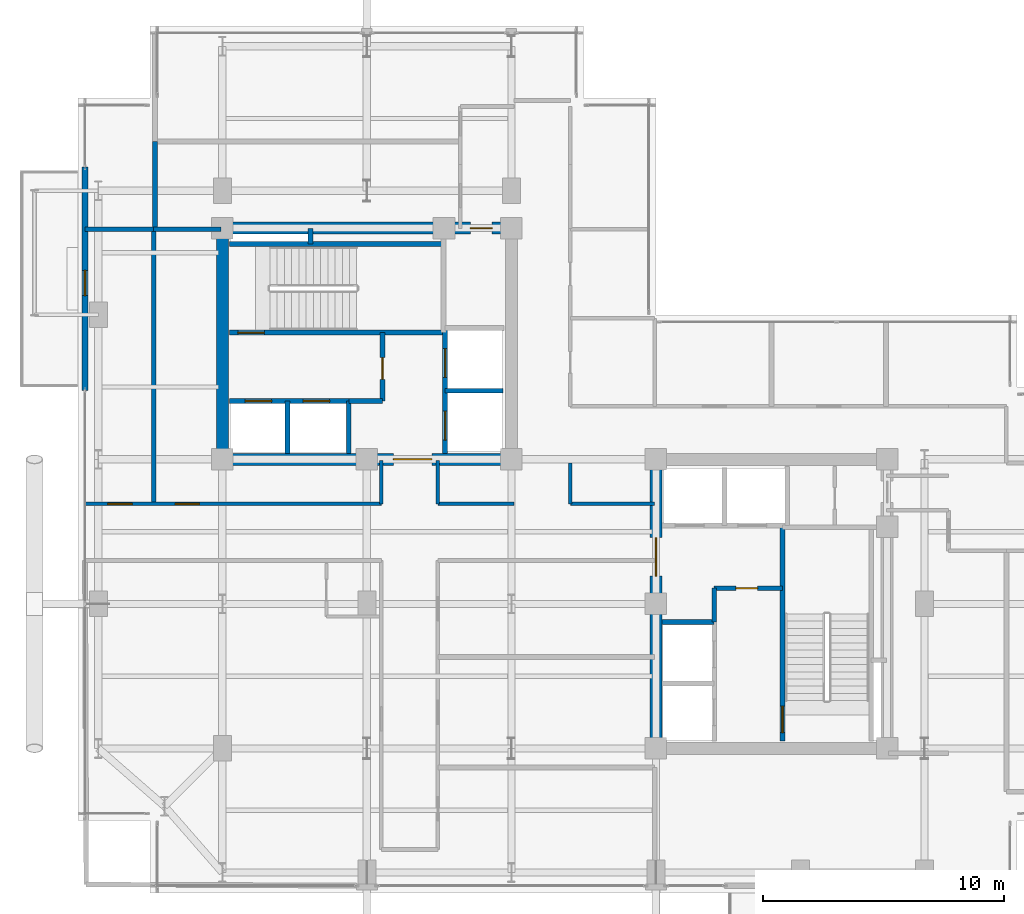
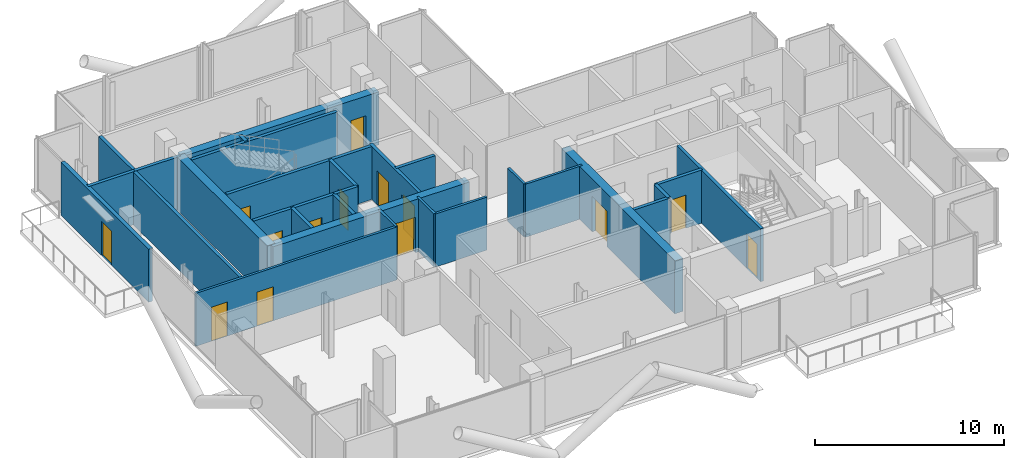
# One storey, part 20 of 25: 29 walls, 14 doors, 14 openings.
"""IFC4 building model written with IfcOpenShell, lengths in metres."""

from ifc_helpers import new_model, si_unit, direction, frame, frame_2d, origin, place, context, subcontext, project, spatial, rectangle, extrude, material, layer, layer_set, type_object, element, fill, save


model = new_model("IFC4")

# Units and contexts
model_context = context("Model", 3, precision=1e-05, world=origin(), true_north=direction((0.0, 1.0)))
body_context = subcontext(model_context, "Body", "Model", "MODEL_VIEW")
ifc_project = project(units=[si_unit("LENGTHUNIT", "METRE"), si_unit("AREAUNIT", "SQUARE_METRE"), si_unit("VOLUMEUNIT", "CUBIC_METRE"), si_unit("PLANEANGLEUNIT", "RADIAN"), si_unit("MASSUNIT", "GRAM", prefix="KILO"), si_unit("THERMODYNAMICTEMPERATUREUNIT", "KELVIN"), si_unit("POWERUNIT", "WATT")], contexts=[model_context])

# Site, building, storey
site_placement = place(None, origin())
site = spatial("IfcSite", under=ifc_project, at=site_placement, CompositionType="ELEMENT")
building_placement = place(site_placement, origin())
building = spatial("IfcBuilding", under=site, at=building_placement, Name="Svarakhadi Broadcast Tower", CompositionType="ELEMENT")
storey_placement = place(building_placement, frame((0.0, 0.0, 231.14990234375)))
storey = spatial("IfcBuildingStorey", under=building, at=storey_placement, Name="L57", CompositionType="ELEMENT", Elevation=231.14990234375)

# Walls
ifc_material_1 = material(Name="Double-Stud Acoustic Studio Partition STC-62", Category="gypsum")
ifc_layer_1 = layer(ifc_material_1, 0.199951171875)
ifc_layer_set_1 = layer_set([ifc_layer_1], Name="Double-Stud Acoustic Studio Partition STC-62")
wall_type_1 = type_object("IfcWallType", Name="Wall_Acoust_200", PredefinedType="PARTITIONING", material=ifc_layer_set_1)
wall_1_placement = place(storey_placement, frame((0.300048828125, 27.550048828125, 0.0), z_axis=(0.0, 0.0, 1.0), x_axis=(1.0, 0.0, 0.0)))
element("IfcWall", 1, at=wall_1_placement, inside=storey, type_object=wall_type_1, Name="L57 Arabian Sea Panorama Salon Wall", PredefinedType="PARTITIONING", context=body_context, shape_type="SweptSolid", body=[
    extrude(rectangle(XDim=2.849853515625, YDim=0.199951171875, at=frame_2d((1.4248046875, 0.0))), origin(), (0.0, 0.0, 1.0), 3.425048828125),
])
wall_2_placement = place(storey_placement, frame((3.14990234375, 16.14990234375, 0.0), z_axis=(0.0, 0.0, 1.0), x_axis=(0.0, 1.0, 0.0)))
element("IfcWall", 2, at=wall_2_placement, inside=storey, type_object=wall_type_1, Name="L57 Arabian Sea Panorama Salon Wall", PredefinedType="PARTITIONING", context=body_context, shape_type="SweptSolid", body=[
    extrude(rectangle(XDim=11.400146484375, YDim=0.199951171875, at=frame_2d((5.7001953125, 0.0))), origin(), (0.0, 0.0, 1.0), 3.425048828125),
])
wall_3_placement = place(storey_placement, frame((3.14990234375, 27.550048828125, 0.0), z_axis=(0.0, 0.0, 1.0), x_axis=(1.0, 0.0, 0.0)))
element("IfcWall", 3, at=wall_3_placement, inside=storey, type_object=wall_type_1, Name="L57 Private Study and Library Office Wall", PredefinedType="PARTITIONING", context=body_context, shape_type="SweptSolid", body=[
    extrude(rectangle(XDim=2.800048828125, YDim=0.199951171875, at=frame_2d((1.39990234375, 0.0))), origin(), (0.0, 0.0, 1.0), 3.425048828125),
])
wall_4_placement = place(storey_placement, frame((3.199951171875, 27.64990234375, 0.0), z_axis=(0.0, 0.0, 1.0), x_axis=(0.0, 1.0, 0.0)))
element("IfcWall", 4, at=wall_4_placement, inside=storey, type_object=wall_type_1, Name="L57 Hotel Pilates and Fitness Studio Wall", PredefinedType="PARTITIONING", context=body_context, shape_type="SweptSolid", body=[
    extrude(rectangle(XDim=3.550048828125, YDim=0.199951171875, at=frame_2d((1.77490234375, 0.0))), origin(), (0.0, 0.0, 1.0), 3.425048828125),
])

# Wall, opening, door
ifc_material_2 = material(Name="Concrete C40/50 (IS 456 M50)", Category="concrete")
ifc_layer_2 = layer(ifc_material_2, 0.239990234375)
ifc_layer_set_2 = layer_set([ifc_layer_2], Name="Concrete C40/50 (IS 456 M50)")
wall_type_2 = type_object("IfcWallType", Name="Wall_Ext_240", PredefinedType="SOLIDWALL", material=ifc_layer_set_2)
wall_5_placement = place(storey_placement, frame((0.300048828125, 20.85498046875, 0.0), z_axis=(0.0, 0.0, 1.0), x_axis=(0.0, 1.0, 0.0)))
wall_5 = element("IfcWall", 5, at=wall_5_placement, inside=storey, type_object=wall_type_2, Name="L57 West Tree Balcony Spandrel Wall", PredefinedType="SOLIDWALL", context=body_context, shape_type="SweptSolid", body=[
    extrude(rectangle(XDim=9.2900390625, YDim=0.239990234375, at=frame_2d((4.64501953125, 0.0))), origin(), (0.0, 0.0, 1.0), 3.425048828125),
])
opening_1_placement = place(wall_5_placement, frame((3.945068359375, 0.0, 0.0)))
opening_1 = element("IfcOpeningElement", 6, at=opening_1_placement, cuts=wall_5, Name="Opening ED-06", PredefinedType="OPENING", context=body_context, shape_type="SweptSolid", body=[
    extrude(rectangle(XDim=1.050048828125, YDim=2.199951171875, at=frame_2d((0.52490234375, 1.10009765625))), frame((0.0, 0.1298828125, 0.0), z_axis=(0.0, -1.0, 0.0), x_axis=(1.0, 0.0, 0.0)), (0.0, 0.0, 1.0), 0.260009765625),
])
ifc_material_3 = material(Name="Anodised Bronze Aluminium AA 6063-T6", Category="aluminium")
door_type_1 = type_object("IfcDoorType", Name="Door_Ext_ED06", OperationType="SINGLE_SWING_RIGHT", PredefinedType="DOOR", material=ifc_material_3)
door_1_placement = place(opening_1_placement, origin())
door_1 = element("IfcDoor", 7, at=door_1_placement, inside=storey, type_object=door_type_1, Name="L57 West Tree Balcony Door", OperationType="SINGLE_SWING_RIGHT", OverallHeight=2.199951171875, OverallWidth=1.050048828125, PredefinedType="DOOR", context=body_context, shape_type="SweptSolid", body=[
    extrude(rectangle(XDim=1.050048828125, YDim=2.199951171875, at=frame_2d((0.52490234375, 1.10009765625))), frame((0.0, 0.02490234375, 0.0), z_axis=(0.0, -1.0, 0.0), x_axis=(1.0, 0.0, 0.0)), (0.0, 0.0, 1.0), 0.050048828125),
])
fill(opening_1, door_1)

# Wall
ifc_layer_3 = layer(ifc_material_2, 0.199951171875)
ifc_layer_set_3 = layer_set([ifc_layer_3], Name="Concrete C40/50 (IS 456 M50)")
wall_type_3 = type_object("IfcWallType", Name="Wall_Fire_200", PredefinedType="SOLIDWALL", material=ifc_layer_set_3)
wall_6_placement = place(storey_placement, frame((9.659912109375, 26.93994140625, 0.0), z_axis=(0.0, 0.0, 1.0), x_axis=(0.0, 1.0, 0.0)))
element("IfcWall", 8, at=wall_6_placement, inside=storey, type_object=wall_type_3, Name="L57 Wet Riser Shaft East Wall", PredefinedType="SOLIDWALL", context=body_context, shape_type="SweptSolid", body=[
    extrude(rectangle(XDim=0.64013671875, YDim=0.199951171875, at=frame_2d((0.320068359375, 0.0))), origin(), (0.0, 0.0, 1.0), 3.425048828125),
])

# Wall, openings, doors
ifc_material_4 = material(Name="Autoclaved Aerated Concrete Blockwork 150 mm", Category="masonry")
ifc_layer_4 = layer(ifc_material_4, 0.14990234375)
ifc_layer_set_4 = layer_set([ifc_layer_4], Name="Autoclaved Aerated Concrete Blockwork 150 mm")
wall_type_4 = type_object("IfcWallType", Name="Wall_Part_150", PredefinedType="PARTITIONING", material=ifc_layer_set_4)
wall_7_placement = place(storey_placement, frame((0.300048828125, 16.14990234375, 0.0), z_axis=(0.0, 0.0, 1.0), x_axis=(1.0, 0.0, 0.0)))
wall_7 = element("IfcWall", 9, at=wall_7_placement, inside=storey, type_object=wall_type_4, Name="L57 Upper Tower Concourse Wall", PredefinedType="PARTITIONING", context=body_context, shape_type="SweptSolid", body=[
    extrude(rectangle(XDim=12.300048828125, YDim=0.14990234375, at=frame_2d((6.14990234375, 0.0))), origin(), (0.0, 0.0, 1.0), 3.425048828125),
])
opening_2_placement = place(wall_7_placement, frame((0.949951171875, 0.0, 0.0)))
opening_2 = element("IfcOpeningElement", 10, at=opening_2_placement, cuts=wall_7, Name="Opening D-08", PredefinedType="OPENING", context=body_context, shape_type="SweptSolid", body=[
    extrude(rectangle(XDim=1.0, YDim=2.199951171875, at=frame_2d((0.5, 1.10009765625))), frame((0.0, 0.0849609375, 0.0), z_axis=(0.0, -1.0, 0.0), x_axis=(1.0, 0.0, 0.0)), (0.0, 0.0, 1.0), 0.169921875),
])
opening_3_placement = place(wall_7_placement, frame((3.75, 0.0, 0.0)))
opening_3 = element("IfcOpeningElement", 11, at=opening_3_placement, cuts=wall_7, Name="Opening D-09", PredefinedType="OPENING", context=body_context, shape_type="SweptSolid", body=[
    extrude(rectangle(XDim=1.0, YDim=2.199951171875, at=frame_2d((0.5, 1.10009765625))), frame((0.0, 0.0849609375, 0.0), z_axis=(0.0, -1.0, 0.0), x_axis=(1.0, 0.0, 0.0)), (0.0, 0.0, 1.0), 0.169921875),
])
ifc_material_5 = material(Name="Solid-Core Teak Veneer Acoustic Timber Leaf", Category="wood")
door_type_2 = type_object("IfcDoorType", Name="Door_Suite_D08", OperationType="SINGLE_SWING_LEFT", PredefinedType="DOOR", material=ifc_material_5)
door_2_placement = place(opening_2_placement, origin())
door_2 = element("IfcDoor", 12, at=door_2_placement, inside=storey, type_object=door_type_2, Name="L57 Arabian Sea Panorama Salon Door", OperationType="SINGLE_SWING_LEFT", OverallHeight=2.199951171875, OverallWidth=1.0, PredefinedType="DOOR", context=body_context, shape_type="SweptSolid", body=[
    extrude(rectangle(XDim=1.0, YDim=2.199951171875, at=frame_2d((0.5, 1.10009765625))), frame((0.0, 0.02490234375, 0.0), z_axis=(0.0, -1.0, 0.0), x_axis=(1.0, 0.0, 0.0)), (0.0, 0.0, 1.0), 0.050048828125),
])
fill(opening_2, door_2)
door_type_3 = type_object("IfcDoorType", Name="Door_Suite_D09", OperationType="SINGLE_SWING_RIGHT", PredefinedType="DOOR", material=ifc_material_5)
door_3_placement = place(opening_3_placement, origin())
door_3 = element("IfcDoor", 13, at=door_3_placement, inside=storey, type_object=door_type_3, Name="L57 Private Study and Library Office Door", OperationType="SINGLE_SWING_RIGHT", OverallHeight=2.199951171875, OverallWidth=1.0, PredefinedType="DOOR", context=body_context, shape_type="SweptSolid", body=[
    extrude(rectangle(XDim=1.0, YDim=2.199951171875, at=frame_2d((0.5, 1.10009765625))), frame((0.0, 0.02490234375, 0.0), z_axis=(0.0, -1.0, 0.0), x_axis=(1.0, 0.0, 0.0)), (0.0, 0.0, 1.0), 0.050048828125),
])
fill(opening_3, door_3)

# Walls
for number, where, z_axis, x_axis, name in (
    (14, (12.60009765625, 16.14990234375, 0.0), (0.0, 0.0, 1.0), (0.0, 1.0, 0.0), "L57 Upper Tower Concourse Wall"),
    (15, (14.949951171875, 17.949951171875, 0.0), (0.0, 0.0, 1.0), (0.0, -1.0, 0.0), "L57 Upper Tower Concourse Wall"),
):
    element("IfcWall", number, at=place(storey_placement, frame(where, z_axis=z_axis, x_axis=x_axis)), inside=storey, type_object=wall_type_4, Name=name, PredefinedType="PARTITIONING", context=body_context, shape_type="SweptSolid", body=[
        extrude(rectangle(XDim=1.800048828125, YDim=0.14990234375, at=frame_2d((0.89990234375, 0.0))), origin(), (0.0, 0.0, 1.0), 3.425048828125),
    ])
wall_8_placement = place(storey_placement, frame((14.949951171875, 16.14990234375, 0.0), z_axis=(0.0, 0.0, 1.0), x_axis=(1.0, 0.0, 0.0)))
element("IfcWall", 16, at=wall_8_placement, inside=storey, type_object=wall_type_4, Name="L57 Upper Tower Concourse Wall", PredefinedType="PARTITIONING", context=body_context, shape_type="SweptSolid", body=[
    extrude(rectangle(XDim=3.150146484375, YDim=0.14990234375, at=frame_2d((1.5751953125, 0.0))), origin(), (0.0, 0.0, 1.0), 3.425048828125),
])
wall_9_placement = place(storey_placement, frame((20.449951171875, 17.85009765625, 0.0), z_axis=(0.0, 0.0, 1.0), x_axis=(0.0, -1.0, 0.0)))
element("IfcWall", 17, at=wall_9_placement, inside=storey, type_object=wall_type_4, Name="L57 Upper Tower Concourse Wall", PredefinedType="PARTITIONING", context=body_context, shape_type="SweptSolid", body=[
    extrude(rectangle(XDim=1.7001953125, YDim=0.14990234375, at=frame_2d((0.85009765625, 0.0))), origin(), (0.0, 0.0, 1.0), 3.425048828125),
])
wall_10_placement = place(storey_placement, frame((20.449951171875, 16.14990234375, 0.0), z_axis=(0.0, 0.0, 1.0), x_axis=(1.0, 0.0, 0.0)))
element("IfcWall", 18, at=wall_10_placement, inside=storey, type_object=wall_type_4, Name="L57 Upper Tower Concourse Wall", PredefinedType="PARTITIONING", context=body_context, shape_type="SweptSolid", body=[
    extrude(rectangle(XDim=3.5, YDim=0.14990234375, at=frame_2d((1.75, 0.0))), origin(), (0.0, 0.0, 1.0), 3.425048828125),
])

# Wall, opening, door
ifc_material_6 = material(Name="Concrete C50/60 (IS 456 M60)", Category="concrete")
ifc_layer_5 = layer(ifc_material_6, 0.199951171875)
ifc_layer_set_5 = layer_set([ifc_layer_5], Name="Concrete C50/60 (IS 456 M60)")
wall_type_5 = type_object("IfcWallType", Name="Wall_Shear_200", PredefinedType="SHEAR", material=ifc_layer_set_5)
wall_11_placement = place(storey_placement, frame((6.300048828125, 23.260009765625, 0.0), z_axis=(0.0, 0.0, 1.0), x_axis=(1.0, 0.0, 0.0)))
wall_11 = element("IfcWall", 19, at=wall_11_placement, inside=storey, type_object=wall_type_5, Name="L57 Stair ST-01 South RC Shaft Wall", PredefinedType="SHEAR", context=body_context, shape_type="SweptSolid", body=[
    extrude(rectangle(XDim=8.8798828125, YDim=0.199951171875, at=frame_2d((4.43994140625, 0.0))), origin(), (0.0, 0.0, 1.0), 3.425048828125),
])
opening_4_placement = place(wall_11_placement, frame((0.35009765625, 0.0, 0.0)))
opening_4 = element("IfcOpeningElement", 20, at=opening_4_placement, cuts=wall_11, Name="Opening D-01", PredefinedType="OPENING", context=body_context, shape_type="SweptSolid", body=[
    extrude(rectangle(XDim=1.10009765625, YDim=2.199951171875, at=frame_2d((0.550048828125, 1.10009765625))), frame((0.0, 0.10986328125, 0.0), z_axis=(0.0, -1.0, 0.0), x_axis=(1.0, 0.0, 0.0)), (0.0, 0.0, 1.0), 0.219970703125),
])
ifc_material_7 = material(Name="Galvanised Powder-Coated Fire-Rated Steel Leaf", Category="steel")
door_type_4 = type_object("IfcDoorType", Name="Door_Stair_D01", OperationType="SINGLE_SWING_LEFT", PredefinedType="DOOR", material=ifc_material_7)
door_4_placement = place(opening_4_placement, origin())
door_4 = element("IfcDoor", 21, at=door_4_placement, inside=storey, type_object=door_type_4, Name="L57 Protected Exit Stair ST-01 Fire Door", OperationType="SINGLE_SWING_LEFT", OverallHeight=2.199951171875, OverallWidth=1.10009765625, PredefinedType="DOOR", context=body_context, shape_type="SweptSolid", body=[
    extrude(rectangle(XDim=1.10009765625, YDim=2.199951171875, at=frame_2d((0.550048828125, 1.10009765625))), frame((0.0, 0.02490234375, 0.0), z_axis=(0.0, -1.0, 0.0), x_axis=(1.0, 0.0, 0.0)), (0.0, 0.0, 1.0), 0.050048828125),
])
fill(opening_4, door_4)

# Wall
wall_12_placement = place(storey_placement, frame((6.300048828125, 26.93994140625, 0.0), z_axis=(0.0, 0.0, 1.0), x_axis=(1.0, 0.0, 0.0)))
element("IfcWall", 22, at=wall_12_placement, inside=storey, type_object=wall_type_5, Name="L57 Stair ST-01 North RC Shaft Wall", PredefinedType="SHEAR", context=body_context, shape_type="SweptSolid", body=[
    extrude(rectangle(XDim=8.8798828125, YDim=0.199951171875, at=frame_2d((4.43994140625, 0.0))), origin(), (0.0, 0.0, 1.0), 3.425048828125),
])

# Wall, opening, door
wall_13_placement = place(storey_placement, frame((29.260009765625, 6.300048828125, 0.0), z_axis=(0.0, 0.0, 1.0), x_axis=(0.0, 1.0, 0.0)))
wall_13 = element("IfcWall", 23, at=wall_13_placement, inside=storey, type_object=wall_type_5, Name="L57 Stair ST-02 West RC Shaft Wall", PredefinedType="SHEAR", context=body_context, shape_type="SweptSolid", body=[
    extrude(rectangle(XDim=8.8798828125, YDim=0.199951171875, at=frame_2d((4.43994140625, 0.0))), origin(), (0.0, 0.0, 1.0), 3.425048828125),
])
opening_5_placement = place(wall_13_placement, frame((0.35009765625, 0.0, 0.0)))
opening_5 = element("IfcOpeningElement", 24, at=opening_5_placement, cuts=wall_13, Name="Opening D-02", PredefinedType="OPENING", context=body_context, shape_type="SweptSolid", body=[
    extrude(rectangle(XDim=1.10009765625, YDim=2.199951171875, at=frame_2d((0.550048828125, 1.10009765625))), frame((0.0, 0.10986328125, 0.0), z_axis=(0.0, -1.0, 0.0), x_axis=(1.0, 0.0, 0.0)), (0.0, 0.0, 1.0), 0.219970703125),
])
door_type_5 = type_object("IfcDoorType", Name="Door_Stair_D02", OperationType="SINGLE_SWING_RIGHT", PredefinedType="DOOR", material=ifc_material_7)
door_5_placement = place(opening_5_placement, origin())
door_5 = element("IfcDoor", 25, at=door_5_placement, inside=storey, type_object=door_type_5, Name="L57 Protected Exit Stair ST-02 Fire Door", OperationType="SINGLE_SWING_RIGHT", OverallHeight=2.199951171875, OverallWidth=1.10009765625, PredefinedType="DOOR", context=body_context, shape_type="SweptSolid", body=[
    extrude(rectangle(XDim=1.10009765625, YDim=2.199951171875, at=frame_2d((0.550048828125, 1.10009765625))), frame((0.0, 0.02490234375, 0.0), z_axis=(0.0, -1.0, 0.0), x_axis=(1.0, 0.0, 0.0)), (0.0, 0.0, 1.0), 0.050048828125),
])
fill(opening_5, door_5)

# Wall, openings, doors
wall_14_placement = place(storey_placement, frame((6.300048828125, 20.419921875, 0.0), z_axis=(0.0, 0.0, 1.0), x_axis=(1.0, 0.0, 0.0)))
wall_14 = element("IfcWall", 26, at=wall_14_placement, inside=storey, type_object=wall_type_5, Name="L57 Firefighting Lift LF-01/02 Shaft Wall", PredefinedType="SHEAR", context=body_context, shape_type="SweptSolid", body=[
    extrude(rectangle(XDim=4.949951171875, YDim=0.199951171875, at=frame_2d((2.47509765625, 0.0))), origin(), (0.0, 0.0, 1.0), 3.425048828125),
])
opening_6_placement = place(wall_14_placement, frame((0.64990234375, 0.0, 0.0)))
opening_6 = element("IfcOpeningElement", 27, at=opening_6_placement, cuts=wall_14, Name="Opening LD-01", PredefinedType="OPENING", context=body_context, shape_type="SweptSolid", body=[
    extrude(rectangle(XDim=1.10009765625, YDim=2.199951171875, at=frame_2d((0.550048828125, 1.10009765625))), frame((0.0, 0.10986328125, 0.0), z_axis=(0.0, -1.0, 0.0), x_axis=(1.0, 0.0, 0.0)), (0.0, 0.0, 1.0), 0.219970703125),
])
opening_7_placement = place(wall_14_placement, frame((3.050048828125, 0.0, 0.0)))
opening_7 = element("IfcOpeningElement", 28, at=opening_7_placement, cuts=wall_14, Name="Opening LD-01", PredefinedType="OPENING", context=body_context, shape_type="SweptSolid", body=[
    extrude(rectangle(XDim=1.10009765625, YDim=2.199951171875, at=frame_2d((0.550048828125, 1.10009765625))), frame((0.0, 0.10986328125, 0.0), z_axis=(0.0, -1.0, 0.0), x_axis=(1.0, 0.0, 0.0)), (0.0, 0.0, 1.0), 0.219970703125),
])
door_type_6 = type_object("IfcDoorType", Name="Door_Lift_LD01", OperationType="SLIDING_TO_LEFT", PredefinedType="DOOR", material=ifc_material_7)
door_6_placement = place(opening_6_placement, origin())
door_6 = element("IfcDoor", 29, at=door_6_placement, inside=storey, type_object=door_type_6, Name="L57 Firefighting Lift LF-01 Landing Door", OperationType="SLIDING_TO_LEFT", OverallHeight=2.199951171875, OverallWidth=1.10009765625, PredefinedType="DOOR", context=body_context, shape_type="SweptSolid", body=[
    extrude(rectangle(XDim=1.10009765625, YDim=2.199951171875, at=frame_2d((0.550048828125, 1.10009765625))), frame((0.0, 0.02490234375, 0.0), z_axis=(0.0, -1.0, 0.0), x_axis=(1.0, 0.0, 0.0)), (0.0, 0.0, 1.0), 0.050048828125),
])
fill(opening_6, door_6)
door_7_placement = place(opening_7_placement, origin())
door_7 = element("IfcDoor", 30, at=door_7_placement, inside=storey, type_object=door_type_6, Name="L57 Firefighting Lift LF-02 Landing Door", OperationType="SLIDING_TO_LEFT", OverallHeight=2.199951171875, OverallWidth=1.10009765625, PredefinedType="DOOR", context=body_context, shape_type="SweptSolid", body=[
    extrude(rectangle(XDim=1.10009765625, YDim=2.199951171875, at=frame_2d((0.550048828125, 1.10009765625))), frame((0.0, 0.02490234375, 0.0), z_axis=(0.0, -1.0, 0.0), x_axis=(1.0, 0.0, 0.0)), (0.0, 0.0, 1.0), 0.050048828125),
])
fill(opening_7, door_7)

# Walls
for number, where, z_axis, x_axis, name in (
    (31, (8.699951171875, 18.25, 0.0), (0.0, 0.0, 1.0), (0.0, 1.0, 0.0), "L57 Firefighting Lift LF-01/02 Divider Wall"),
    (32, (11.25, 18.25, 0.0), (0.0, 0.0, 1.0), (0.0, 1.0, 0.0), "L57 Firefighting Lift LF-02 East Wall"),
):
    element("IfcWall", number, at=place(storey_placement, frame(where, z_axis=z_axis, x_axis=x_axis)), inside=storey, type_object=wall_type_5, Name=name, PredefinedType="SHEAR", context=body_context, shape_type="SweptSolid", body=[
        extrude(rectangle(XDim=2.169921875, YDim=0.199951171875, at=frame_2d((1.0849609375, 0.0))), origin(), (0.0, 0.0, 1.0), 3.425048828125),
    ])
wall_15_placement = place(storey_placement, frame((11.25, 20.419921875, 0.0), z_axis=(0.0, 0.0, 1.0), x_axis=(1.0, 0.0, 0.0)))
element("IfcWall", 33, at=wall_15_placement, inside=storey, type_object=wall_type_5, Name="L57 West Firefighting Lobby South Wall", PredefinedType="SHEAR", context=body_context, shape_type="SweptSolid", body=[
    extrude(rectangle(XDim=1.39990234375, YDim=0.199951171875, at=frame_2d((0.699951171875, 0.0))), origin(), (0.0, 0.0, 1.0), 3.425048828125),
])

# Wall, opening, door
wall_16_placement = place(storey_placement, frame((12.64990234375, 20.419921875, 0.0), z_axis=(0.0, 0.0, 1.0), x_axis=(0.0, 1.0, 0.0)))
wall_16 = element("IfcWall", 34, at=wall_16_placement, inside=storey, type_object=wall_type_5, Name="L57 West Firefighting Lobby East Wall", PredefinedType="SHEAR", context=body_context, shape_type="SweptSolid", body=[
    extrude(rectangle(XDim=2.840087890625, YDim=0.199951171875, at=frame_2d((1.419921875, 0.0))), origin(), (0.0, 0.0, 1.0), 3.425048828125),
])
opening_8_placement = place(wall_16_placement, frame((0.89990234375, 0.0, 0.0)))
opening_8 = element("IfcOpeningElement", 35, at=opening_8_placement, cuts=wall_16, Name="Opening D-04", PredefinedType="OPENING", context=body_context, shape_type="SweptSolid", body=[
    extrude(rectangle(XDim=0.89990234375, YDim=2.14990234375, at=frame_2d((0.449951171875, 1.074951171875))), frame((0.0, 0.10986328125, 0.0), z_axis=(0.0, -1.0, 0.0), x_axis=(1.0, 0.0, 0.0)), (0.0, 0.0, 1.0), 0.219970703125),
])
door_type_7 = type_object("IfcDoorType", Name="Door_Fire_D04", OperationType="SINGLE_SWING_RIGHT", PredefinedType="DOOR", material=ifc_material_7)
door_8_placement = place(opening_8_placement, origin())
door_8 = element("IfcDoor", 36, at=door_8_placement, inside=storey, type_object=door_type_7, Name="L57 West Firefighting Lobby Fire Door", OperationType="SINGLE_SWING_RIGHT", OverallHeight=2.14990234375, OverallWidth=0.89990234375, PredefinedType="DOOR", context=body_context, shape_type="SweptSolid", body=[
    extrude(rectangle(XDim=0.89990234375, YDim=2.14990234375, at=frame_2d((0.449951171875, 1.074951171875))), frame((0.0, 0.02490234375, 0.0), z_axis=(0.0, -1.0, 0.0), x_axis=(1.0, 0.0, 0.0)), (0.0, 0.0, 1.0), 0.050048828125),
])
fill(opening_8, door_8)

# Walls
wall_17_placement = place(storey_placement, frame((24.25, 11.25, 0.0), z_axis=(0.0, 0.0, 1.0), x_axis=(1.0, 0.0, 0.0)))
element("IfcWall", 37, at=wall_17_placement, inside=storey, type_object=wall_type_5, Name="L57 Firefighting Lift LF-04 North Wall", PredefinedType="SHEAR", context=body_context, shape_type="SweptSolid", body=[
    extrude(rectangle(XDim=2.169921875, YDim=0.199951171875, at=frame_2d((1.0849609375, 0.0))), origin(), (0.0, 0.0, 1.0), 3.425048828125),
])
wall_18_placement = place(storey_placement, frame((26.419921875, 11.25, 0.0), z_axis=(0.0, 0.0, 1.0), x_axis=(0.0, 1.0, 0.0)))
element("IfcWall", 38, at=wall_18_placement, inside=storey, type_object=wall_type_5, Name="L57 East Firefighting Lobby West Wall", PredefinedType="SHEAR", context=body_context, shape_type="SweptSolid", body=[
    extrude(rectangle(XDim=1.39990234375, YDim=0.199951171875, at=frame_2d((0.699951171875, 0.0))), origin(), (0.0, 0.0, 1.0), 3.425048828125),
])

# Wall, opening, door
wall_19_placement = place(storey_placement, frame((26.419921875, 12.64990234375, 0.0), z_axis=(0.0, 0.0, 1.0), x_axis=(1.0, 0.0, 0.0)))
wall_19 = element("IfcWall", 39, at=wall_19_placement, inside=storey, type_object=wall_type_5, Name="L57 East Firefighting Lobby North Wall", PredefinedType="SHEAR", context=body_context, shape_type="SweptSolid", body=[
    extrude(rectangle(XDim=2.840087890625, YDim=0.199951171875, at=frame_2d((1.419921875, 0.0))), origin(), (0.0, 0.0, 1.0), 3.425048828125),
])
opening_9_placement = place(wall_19_placement, frame((0.89990234375, 0.0, 0.0)))
opening_9 = element("IfcOpeningElement", 40, at=opening_9_placement, cuts=wall_19, Name="Opening D-03", PredefinedType="OPENING", context=body_context, shape_type="SweptSolid", body=[
    extrude(rectangle(XDim=0.89990234375, YDim=2.14990234375, at=frame_2d((0.449951171875, 1.074951171875))), frame((0.0, 0.10986328125, 0.0), z_axis=(0.0, -1.0, 0.0), x_axis=(1.0, 0.0, 0.0)), (0.0, 0.0, 1.0), 0.219970703125),
])
door_type_8 = type_object("IfcDoorType", Name="Door_Fire_D03", OperationType="SINGLE_SWING_LEFT", PredefinedType="DOOR", material=ifc_material_7)
door_9_placement = place(opening_9_placement, origin())
door_9 = element("IfcDoor", 41, at=door_9_placement, inside=storey, type_object=door_type_8, Name="L57 East Firefighting Lobby Fire Door", OperationType="SINGLE_SWING_LEFT", OverallHeight=2.14990234375, OverallWidth=0.89990234375, PredefinedType="DOOR", context=body_context, shape_type="SweptSolid", body=[
    extrude(rectangle(XDim=0.89990234375, YDim=2.14990234375, at=frame_2d((0.449951171875, 1.074951171875))), frame((0.0, 0.02490234375, 0.0), z_axis=(0.0, -1.0, 0.0), x_axis=(1.0, 0.0, 0.0)), (0.0, 0.0, 1.0), 0.050048828125),
])
fill(opening_9, door_9)

# Wall, openings, doors
wall_20_placement = place(storey_placement, frame((15.25, 18.25, 0.0), z_axis=(0.0, 0.0, 1.0), x_axis=(0.0, 1.0, 0.0)))
wall_20 = element("IfcWall", 42, at=wall_20_placement, inside=storey, type_object=wall_type_5, Name="L57 High-Rise Lift LF-13/14 West Shaft Wall", PredefinedType="SHEAR", context=body_context, shape_type="SweptSolid", body=[
    extrude(rectangle(XDim=5.199951171875, YDim=0.199951171875, at=frame_2d((2.60009765625, 0.0))), origin(), (0.0, 0.0, 1.0), 3.425048828125),
])
opening_10_placement = place(wall_20_placement, frame((0.550048828125, 0.0, 0.0)))
opening_10 = element("IfcOpeningElement", 43, at=opening_10_placement, cuts=wall_20, Name="Opening LD-02", PredefinedType="OPENING", context=body_context, shape_type="SweptSolid", body=[
    extrude(rectangle(XDim=1.199951171875, YDim=2.199951171875, at=frame_2d((0.60009765625, 1.10009765625))), frame((0.0, 0.10986328125, 0.0), z_axis=(0.0, -1.0, 0.0), x_axis=(1.0, 0.0, 0.0)), (0.0, 0.0, 1.0), 0.219970703125),
])
opening_11_placement = place(wall_20_placement, frame((3.14990234375, 0.0, 0.0)))
opening_11 = element("IfcOpeningElement", 44, at=opening_11_placement, cuts=wall_20, Name="Opening LD-02", PredefinedType="OPENING", context=body_context, shape_type="SweptSolid", body=[
    extrude(rectangle(XDim=1.199951171875, YDim=2.199951171875, at=frame_2d((0.60009765625, 1.10009765625))), frame((0.0, 0.10986328125, 0.0), z_axis=(0.0, -1.0, 0.0), x_axis=(1.0, 0.0, 0.0)), (0.0, 0.0, 1.0), 0.219970703125),
])
door_type_9 = type_object("IfcDoorType", Name="Door_Lift_LD02", OperationType="SLIDING_TO_RIGHT", PredefinedType="DOOR", material=ifc_material_7)
door_10_placement = place(opening_10_placement, origin())
door_10 = element("IfcDoor", 45, at=door_10_placement, inside=storey, type_object=door_type_9, Name="L57 High-Rise Lift LF-13 Landing Door", OperationType="SLIDING_TO_RIGHT", OverallHeight=2.199951171875, OverallWidth=1.199951171875, PredefinedType="DOOR", context=body_context, shape_type="SweptSolid", body=[
    extrude(rectangle(XDim=1.199951171875, YDim=2.199951171875, at=frame_2d((0.60009765625, 1.10009765625))), frame((0.0, 0.02490234375, 0.0), z_axis=(0.0, -1.0, 0.0), x_axis=(1.0, 0.0, 0.0)), (0.0, 0.0, 1.0), 0.050048828125),
])
fill(opening_10, door_10)
door_11_placement = place(opening_11_placement, origin())
door_11 = element("IfcDoor", 46, at=door_11_placement, inside=storey, type_object=door_type_9, Name="L57 High-Rise Lift LF-14 Landing Door", OperationType="SLIDING_TO_RIGHT", OverallHeight=2.199951171875, OverallWidth=1.199951171875, PredefinedType="DOOR", context=body_context, shape_type="SweptSolid", body=[
    extrude(rectangle(XDim=1.199951171875, YDim=2.199951171875, at=frame_2d((0.60009765625, 1.10009765625))), frame((0.0, 0.02490234375, 0.0), z_axis=(0.0, -1.0, 0.0), x_axis=(1.0, 0.0, 0.0)), (0.0, 0.0, 1.0), 0.050048828125),
])
fill(opening_11, door_11)

# Wall
wall_21_placement = place(storey_placement, frame((15.25, 20.85009765625, 0.0), z_axis=(0.0, 0.0, 1.0), x_axis=(1.0, 0.0, 0.0)))
element("IfcWall", 47, at=wall_21_placement, inside=storey, type_object=wall_type_5, Name="L57 High-Rise Lift LF-13/14 Divider", PredefinedType="SHEAR", context=body_context, shape_type="SweptSolid", body=[
    extrude(rectangle(XDim=2.39990234375, YDim=0.199951171875, at=frame_2d((1.199951171875, 0.0))), origin(), (0.0, 0.0, 1.0), 3.425048828125),
])

# Wall, opening, door
ifc_layer_6 = layer(ifc_material_6, 0.5)
ifc_layer_set_6 = layer_set([ifc_layer_6], Name="Concrete C50/60 (IS 456 M60)")
wall_type_6 = type_object("IfcWallType", Name="Wall_Shear_500", PredefinedType="SHEAR", material=ifc_layer_set_6)
wall_22_placement = place(storey_placement, frame((6.0, 18.0, 0.0), z_axis=(0.0, 0.0, 1.0), x_axis=(1.0, 0.0, 0.0)))
wall_22 = element("IfcWall", 48, at=wall_22_placement, inside=storey, type_object=wall_type_6, Name="L57 West Core South Shear Wall", PredefinedType="SHEAR", context=body_context, shape_type="SweptSolid", body=[
    extrude(rectangle(XDim=12.0, YDim=0.5, at=frame_2d((6.0, 0.0))), origin(), (0.0, 0.0, 1.0), 3.425048828125),
])
opening_12_placement = place(wall_22_placement, frame((7.10009765625, 0.0, 0.0)))
opening_12 = element("IfcOpeningElement", 49, at=opening_12_placement, cuts=wall_22, Name="Opening D-05", PredefinedType="OPENING", context=body_context, shape_type="SweptSolid", body=[
    extrude(rectangle(XDim=1.60009765625, YDim=2.300048828125, at=frame_2d((0.800048828125, 1.14990234375))), frame((0.0, 0.260009765625, 0.0), z_axis=(0.0, -1.0, 0.0), x_axis=(1.0, 0.0, 0.0)), (0.0, 0.0, 1.0), 0.52001953125),
])
door_type_10 = type_object("IfcDoorType", Name="Door_Lobby_D05", OperationType="DOUBLE_DOOR_SLIDING", PredefinedType="DOOR", material=ifc_material_3)
door_12_placement = place(opening_12_placement, origin())
door_12 = element("IfcDoor", 50, at=door_12_placement, inside=storey, type_object=door_type_10, Name="L57 West Core Passenger Lift Lobby Entrance Door", OperationType="DOUBLE_DOOR_SLIDING", OverallHeight=2.300048828125, OverallWidth=1.60009765625, PredefinedType="DOOR", context=body_context, shape_type="SweptSolid", body=[
    extrude(rectangle(XDim=1.60009765625, YDim=2.300048828125, at=frame_2d((0.800048828125, 1.14990234375))), frame((0.0, 0.02490234375, 0.0), z_axis=(0.0, -1.0, 0.0), x_axis=(1.0, 0.0, 0.0)), (0.0, 0.0, 1.0), 0.050048828125),
])
fill(opening_12, door_12)

wall_23_placement = place(storey_placement, frame((6.0, 27.60009765625, 0.0), z_axis=(0.0, 0.0, 1.0), x_axis=(1.0, 0.0, 0.0)))
wall_23 = element("IfcWall", 51, at=wall_23_placement, inside=storey, type_object=wall_type_6, Name="L57 West Core North Shear Wall", PredefinedType="SHEAR", context=body_context, shape_type="SweptSolid", body=[
    extrude(rectangle(XDim=12.0, YDim=0.5, at=frame_2d((6.0, 0.0))), origin(), (0.0, 0.0, 1.0), 3.425048828125),
])
opening_13_placement = place(wall_23_placement, frame((10.300048828125, 0.0, 0.0)))
opening_13 = element("IfcOpeningElement", 52, at=opening_13_placement, cuts=wall_23, Name="Opening D-03", PredefinedType="OPENING", context=body_context, shape_type="SweptSolid", body=[
    extrude(rectangle(XDim=0.89990234375, YDim=2.14990234375, at=frame_2d((0.449951171875, 1.074951171875))), frame((0.0, 0.260009765625, 0.0), z_axis=(0.0, -1.0, 0.0), x_axis=(1.0, 0.0, 0.0)), (0.0, 0.0, 1.0), 0.52001953125),
])
door_13_placement = place(opening_13_placement, origin())
door_13 = element("IfcDoor", 53, at=door_13_placement, inside=storey, type_object=door_type_8, Name="L57 Core Meter Cupboard Door", OperationType="SINGLE_SWING_LEFT", OverallHeight=2.14990234375, OverallWidth=0.89990234375, PredefinedType="DOOR", context=body_context, shape_type="SweptSolid", body=[
    extrude(rectangle(XDim=0.89990234375, YDim=2.14990234375, at=frame_2d((0.449951171875, 1.074951171875))), frame((0.0, 0.02490234375, 0.0), z_axis=(0.0, -1.0, 0.0), x_axis=(1.0, 0.0, 0.0)), (0.0, 0.0, 1.0), 0.050048828125),
])
fill(opening_13, door_13)

# Wall
wall_24_placement = place(storey_placement, frame((6.0, 18.0, 0.0), z_axis=(0.0, 0.0, 1.0), x_axis=(0.0, 1.0, 0.0)))
element("IfcWall", 54, at=wall_24_placement, inside=storey, type_object=wall_type_6, Name="L57 West Core West Shear Wall", PredefinedType="SHEAR", context=body_context, shape_type="SweptSolid", body=[
    extrude(rectangle(XDim=9.60009765625, YDim=0.5, at=frame_2d((4.800048828125, 0.0))), origin(), (0.0, 0.0, 1.0), 3.425048828125),
])

# Wall, opening, door
wall_25_placement = place(storey_placement, frame((24.0, 6.0, 0.0), z_axis=(0.0, 0.0, 1.0), x_axis=(0.0, 1.0, 0.0)))
wall_25 = element("IfcWall", 55, at=wall_25_placement, inside=storey, type_object=wall_type_6, Name="L57 East Core West Shear Wall", PredefinedType="SHEAR", context=body_context, shape_type="SweptSolid", body=[
    extrude(rectangle(XDim=12.0, YDim=0.5, at=frame_2d((6.0, 0.0))), origin(), (0.0, 0.0, 1.0), 3.425048828125),
])
opening_14_placement = place(wall_25_placement, frame((7.14990234375, 0.0, 0.0)))
opening_14 = element("IfcOpeningElement", 56, at=opening_14_placement, cuts=wall_25, Name="Opening D-05", PredefinedType="OPENING", context=body_context, shape_type="SweptSolid", body=[
    extrude(rectangle(XDim=1.60009765625, YDim=2.300048828125, at=frame_2d((0.800048828125, 1.14990234375))), frame((0.0, 0.260009765625, 0.0), z_axis=(0.0, -1.0, 0.0), x_axis=(1.0, 0.0, 0.0)), (0.0, 0.0, 1.0), 0.52001953125),
])
door_14_placement = place(opening_14_placement, origin())
door_14 = element("IfcDoor", 57, at=door_14_placement, inside=storey, type_object=door_type_10, Name="L57 East Core Passenger Lift Lobby Entrance Door", OperationType="DOUBLE_DOOR_SLIDING", OverallHeight=2.300048828125, OverallWidth=1.60009765625, PredefinedType="DOOR", context=body_context, shape_type="SweptSolid", body=[
    extrude(rectangle(XDim=1.60009765625, YDim=2.300048828125, at=frame_2d((0.800048828125, 1.14990234375))), frame((0.0, 0.02490234375, 0.0), z_axis=(0.0, -1.0, 0.0), x_axis=(1.0, 0.0, 0.0)), (0.0, 0.0, 1.0), 0.050048828125),
])
fill(opening_14, door_14)

save(model, "model.ifc")
